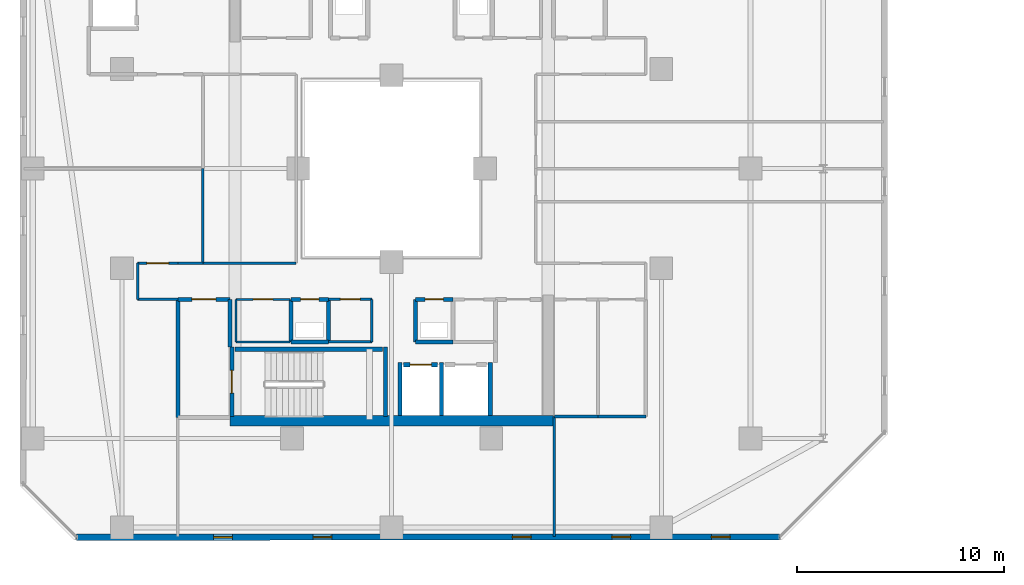
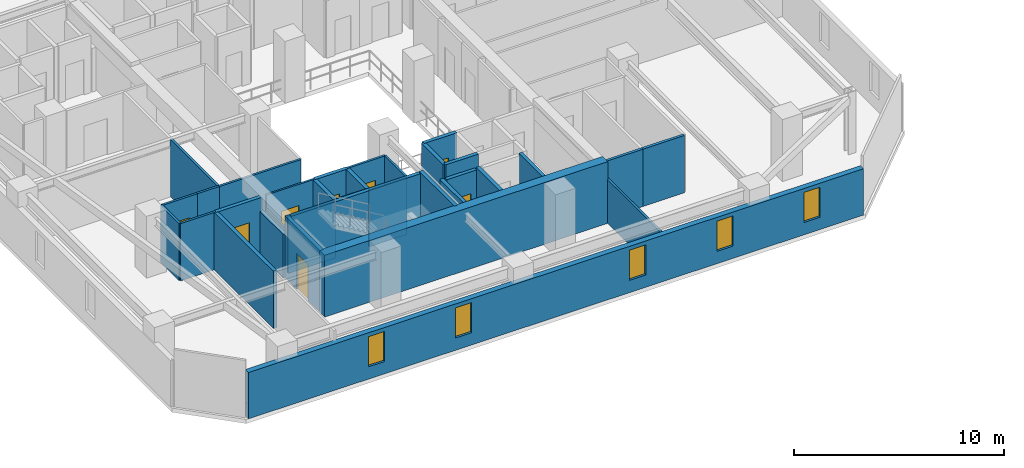
# One storey, part 19 of 33: 34 walls, 8 doors, 5 windows, 13 openings.
"""IFC4 building model written with IfcOpenShell, lengths in metres."""

from ifc_helpers import new_model, si_unit, direction, frame, frame_2d, origin, place, context, subcontext, project, spatial, rectangle, extrude, material, layer, layer_set, type_object, element, fill, save


model = new_model("IFC4")

# Units and contexts
model_context = context("Model", 3, precision=1e-05, world=origin(), true_north=direction((0.0, 1.0)))
body_context = subcontext(model_context, "Body", "Model", "MODEL_VIEW")
ifc_project = project(units=[si_unit("LENGTHUNIT", "METRE"), si_unit("AREAUNIT", "SQUARE_METRE"), si_unit("VOLUMEUNIT", "CUBIC_METRE"), si_unit("PLANEANGLEUNIT", "RADIAN"), si_unit("MASSUNIT", "GRAM", prefix="KILO")], contexts=[model_context])

# Site, building, storey
site_placement = place(None, origin())
site = spatial("IfcSite", under=ifc_project, at=site_placement, CompositionType="ELEMENT")
building_placement = place(site_placement, origin())
building = spatial("IfcBuilding", under=site, at=building_placement, Name="Thornwick Lancets Civic Towers", CompositionType="ELEMENT")
storey_placement = place(building_placement, frame((0.0, 0.0, 189.300048828125)))
storey = spatial("IfcBuildingStorey", under=building, at=storey_placement, Name="L50", CompositionType="ELEMENT", Elevation=189.300048828125)

# Wall, opening, door
ifc_material_1 = material(Name="Concrete blockwork C40/50", Category="masonry")
ifc_layer_1 = layer(ifc_material_1, 0.199951171875, Name="Concrete blockwork C40/50")
ifc_layer_set_1 = layer_set([ifc_layer_1], Name="Concrete blockwork C40/50")
wall_type_1 = type_object("IfcWallType", Name="WALL_COMP_200", PredefinedType="STANDARD", material=ifc_layer_set_1)
wall_1_placement = place(storey_placement, frame((26.080078125, 17.550048828125, 0.0), z_axis=(0.0, 0.0, 1.0), x_axis=(1.0, 0.0, 0.0)))
wall_1 = element("IfcWall", 1, at=wall_1_placement, inside=storey, type_object=wall_type_1, Name="L50 Hoistway Front Wall FL-A1", PredefinedType="STANDARD", context=body_context, shape_type="SweptSolid", body=[
    extrude(rectangle(XDim=1.639892578125, YDim=0.199951171875, at=frame_2d((0.81982421875, 0.0))), origin(), (0.0, 0.0, 1.0), 3.33984375),
])
opening_1_placement = place(wall_1_placement, frame((0.31005859375, 0.0, 0.0)))
opening_1 = element("IfcOpeningElement", 2, at=opening_1_placement, cuts=wall_1, Name="Opening LD-FL-A1", PredefinedType="OPENING", context=body_context, shape_type="SweptSolid", body=[
    extrude(rectangle(XDim=1.02001953125, YDim=2.06005859375, at=frame_2d((0.510009765625, 1.030029296875))), frame((0.0, 0.10986328125, 0.0), z_axis=(0.0, -1.0, 0.0), x_axis=(1.0, 0.0, 0.0)), (0.0, 0.0, 1.0), 0.219970703125),
])
ifc_material_2 = material(Name="Brushed bronze stainless steel", Category="steel")
door_type_1 = type_object("IfcDoorType", Name="DOOR_LIFT_SLIDE", OperationType="SLIDING_TO_LEFT", PredefinedType="DOOR", material=ifc_material_2)
door_1_placement = place(opening_1_placement, origin())
door_1 = element("IfcDoor", 3, at=door_1_placement, inside=storey, type_object=door_type_1, Name="L50 Sliding Lift Landing Door LD-FL-A1", OperationType="SLIDING_TO_LEFT", OverallHeight=2.06005859375, OverallWidth=1.02001953125, PredefinedType="DOOR", context=body_context, shape_type="SweptSolid", body=[
    extrude(rectangle(XDim=1.02001953125, YDim=2.06005859375, at=frame_2d((0.510009765625, 1.030029296875))), frame((0.0, 0.02490234375, 0.0), z_axis=(0.0, -1.0, 0.0), x_axis=(1.0, 0.0, 0.0)), (0.0, 0.0, 1.0), 0.050048828125),
])
fill(opening_1, door_1)

# Walls
for number, where, z_axis, x_axis, name in (
    (4, (27.89990234375, 15.112060546875, 0.0), (0.0, 0.0, 1.0), (0.0, 1.0, 0.0), "L50 Hoistway Shaft Wall FL-A1 E"),
    (5, (25.89990234375, 15.112060546875, 0.0), (0.0, 0.0, 1.0), (0.0, 1.0, 0.0), "L50 Hoistway Shaft Wall FL-A1 W"),
    (6, (30.25, 15.112060546875, 0.0), (0.0, 0.0, 1.0), (0.0, 1.0, 0.0), "L50 Hoistway Shaft Wall PL-AH1 E"),
):
    element("IfcWall", number, at=place(storey_placement, frame(where, z_axis=z_axis, x_axis=x_axis)), inside=storey, type_object=wall_type_1, Name=name, PredefinedType="STANDARD", context=body_context, shape_type="SweptSolid", body=[
        extrude(rectangle(XDim=2.535888671875, YDim=0.199951171875, at=frame_2d((1.26806640625, 0.0))), origin(), (0.0, 0.0, 1.0), 3.33984375),
    ])
wall_2_placement = place(storey_placement, frame((17.699951171875, 18.39990234375, 0.0), z_axis=(0.0, 0.0, 1.0), x_axis=(0.0, 1.0, 0.0)))
element("IfcWall", 7, at=wall_2_placement, inside=storey, type_object=wall_type_1, Name="L50 Partition L50-A-FFLOB1 E2", PredefinedType="STANDARD", context=body_context, shape_type="SweptSolid", body=[
    extrude(rectangle(XDim=2.300048828125, YDim=0.199951171875, at=frame_2d((1.14990234375, 0.0))), origin(), (0.0, 0.0, 1.0), 2.544921875),
])

# Wall, opening, door
wall_3_placement = place(storey_placement, frame((17.699951171875, 20.699951171875, 0.0), z_axis=(0.0, 0.0, 1.0), x_axis=(-1.0, 0.0, 0.0)))
wall_3 = element("IfcWall", 8, at=wall_3_placement, inside=storey, type_object=wall_type_1, Name="L50 Partition L50-A-FFLOB1 E3", PredefinedType="STANDARD", context=body_context, shape_type="SweptSolid", body=[
    extrude(rectangle(XDim=2.5, YDim=0.199951171875, at=frame_2d((1.25, 0.0))), origin(), (0.0, 0.0, 1.0), 3.33984375),
])
opening_2_placement = place(wall_3_placement, frame((0.675048828125, 0.0, 0.0)))
opening_2 = element("IfcOpeningElement", 9, at=opening_2_placement, cuts=wall_3, Name="Opening D-L50-2205", PredefinedType="OPENING", context=body_context, shape_type="SweptSolid", body=[
    extrude(rectangle(XDim=1.14990234375, YDim=2.10009765625, at=frame_2d((0.574951171875, 1.050048828125))), frame((0.0, 0.10986328125, 0.0), z_axis=(0.0, -1.0, 0.0), x_axis=(1.0, 0.0, 0.0)), (0.0, 0.0, 1.0), 0.219970703125),
])
ifc_material_3 = material(Name="Glazed fire-resisting steel", Category="steel")
door_type_2 = type_object("IfcDoorType", Name="DOOR_LOBBY_FD60", OperationType="NOTDEFINED", PredefinedType="DOOR", material=ifc_material_3)
door_2_placement = place(opening_2_placement, origin())
door_2 = element("IfcDoor", 10, at=door_2_placement, inside=storey, type_object=door_type_2, Name="L50 South Firefighting Lobby 1 Door", OperationType="SINGLE_SWING_RIGHT", OverallHeight=2.10009765625, OverallWidth=1.14990234375, PredefinedType="DOOR", context=body_context, shape_type="SweptSolid", body=[
    extrude(rectangle(XDim=1.14990234375, YDim=2.10009765625, at=frame_2d((0.574951171875, 1.050048828125))), frame((0.0, 0.02490234375, 0.0), z_axis=(0.0, -1.0, 0.0), x_axis=(1.0, 0.0, 0.0)), (0.0, 0.0, 1.0), 0.050048828125),
])
fill(opening_2, door_2)

# Walls
wall_4_placement = place(storey_placement, frame((15.199951171875, 20.699951171875, 0.0), z_axis=(0.0, 0.0, 1.0), x_axis=(0.0, -1.0, 0.0)))
element("IfcWall", 11, at=wall_4_placement, inside=storey, type_object=wall_type_1, Name="L50 Partition L50-A-FFLOB1 E4", PredefinedType="STANDARD", context=body_context, shape_type="SweptSolid", body=[
    extrude(rectangle(XDim=5.699951171875, YDim=0.199951171875, at=frame_2d((2.85009765625, 0.0))), origin(), (0.0, 0.0, 1.0), 3.33984375),
])
wall_5_placement = place(storey_placement, frame((26.64990234375, 18.64990234375, 0.0), z_axis=(0.0, 0.0, 1.0), x_axis=(1.0, 0.0, 0.0)))
element("IfcWall", 12, at=wall_5_placement, inside=storey, type_object=wall_type_1, Name="L50 Partition L50-A-DUCT1 E1", PredefinedType="STANDARD", context=body_context, shape_type="SweptSolid", body=[
    extrude(rectangle(XDim=1.800048828125, YDim=0.199951171875, at=frame_2d((0.89990234375, 0.0))), origin(), (0.0, 0.0, 1.0), 3.33984375),
])

# Wall, opening, door
wall_6_placement = place(storey_placement, frame((28.449951171875, 20.699951171875, 0.0), z_axis=(0.0, 0.0, 1.0), x_axis=(-1.0, 0.0, 0.0)))
wall_6 = element("IfcWall", 13, at=wall_6_placement, inside=storey, type_object=wall_type_1, Name="L50 Partition L50-A-DUCT1 E3", PredefinedType="STANDARD", context=body_context, shape_type="SweptSolid", body=[
    extrude(rectangle(XDim=1.800048828125, YDim=0.199951171875, at=frame_2d((0.89990234375, 0.0))), origin(), (0.0, 0.0, 1.0), 3.33984375),
])
opening_3_placement = place(wall_6_placement, frame((0.4599609375, 0.0, 0.0)))
opening_3 = element("IfcOpeningElement", 14, at=opening_3_placement, cuts=wall_6, Name="Opening D-L50-2207", PredefinedType="OPENING", context=body_context, shape_type="SweptSolid", body=[
    extrude(rectangle(XDim=0.8798828125, YDim=2.0400390625, at=frame_2d((0.43994140625, 1.02001953125))), frame((0.0, 0.10986328125, 0.0), z_axis=(0.0, -1.0, 0.0), x_axis=(1.0, 0.0, 0.0)), (0.0, 0.0, 1.0), 0.219970703125),
])
ifc_material_4 = material(Name="Steel riser access doorset", Category="steel")
door_type_3 = type_object("IfcDoorType", Name="DOOR_RISER_850", OperationType="NOTDEFINED", PredefinedType="DOOR", material=ifc_material_4)
door_3_placement = place(opening_3_placement, origin())
door_3 = element("IfcDoor", 15, at=door_3_placement, inside=storey, type_object=door_type_3, Name="L50 South Service Duct 1 Door", OperationType="SINGLE_SWING_RIGHT", OverallHeight=2.0400390625, OverallWidth=0.8798828125, PredefinedType="DOOR", context=body_context, shape_type="SweptSolid", body=[
    extrude(rectangle(XDim=0.8798828125, YDim=2.0400390625, at=frame_2d((0.43994140625, 1.02001953125))), frame((0.0, 0.02490234375, 0.0), z_axis=(0.0, -1.0, 0.0), x_axis=(1.0, 0.0, 0.0)), (0.0, 0.0, 1.0), 0.050048828125),
])
fill(opening_3, door_3)

# Walls
wall_7_placement = place(storey_placement, frame((26.64990234375, 20.699951171875, 0.0), z_axis=(0.0, 0.0, 1.0), x_axis=(0.0, -1.0, 0.0)))
element("IfcWall", 16, at=wall_7_placement, inside=storey, type_object=wall_type_1, Name="L50 Partition L50-A-DUCT1 E4", PredefinedType="STANDARD", context=body_context, shape_type="SweptSolid", body=[
    extrude(rectangle(XDim=2.050048828125, YDim=0.199951171875, at=frame_2d((1.02490234375, 0.0))), origin(), (0.0, 0.0, 1.0), 3.33984375),
])
wall_8_placement = place(storey_placement, frame((20.64990234375, 18.64990234375, 0.0), z_axis=(0.0, 0.0, 1.0), x_axis=(1.0, 0.0, 0.0)))
element("IfcWall", 17, at=wall_8_placement, inside=storey, type_object=wall_type_1, Name="L50 Partition L50-A-RISER1 E1", PredefinedType="STANDARD", context=body_context, shape_type="SweptSolid", body=[
    extrude(rectangle(XDim=1.800048828125, YDim=0.199951171875, at=frame_2d((0.89990234375, 0.0))), origin(), (0.0, 0.0, 1.0), 3.33984375),
])
wall_9_placement = place(storey_placement, frame((22.449951171875, 18.64990234375, 0.0), z_axis=(0.0, 0.0, 1.0), x_axis=(0.0, 1.0, 0.0)))
element("IfcWall", 18, at=wall_9_placement, inside=storey, type_object=wall_type_1, Name="L50 Partition L50-A-RISER1 E2", PredefinedType="STANDARD", context=body_context, shape_type="SweptSolid", body=[
    extrude(rectangle(XDim=2.050048828125, YDim=0.199951171875, at=frame_2d((1.02490234375, 0.0))), origin(), (0.0, 0.0, 1.0), 3.33984375),
])

# Wall, opening, door
wall_10_placement = place(storey_placement, frame((22.449951171875, 20.699951171875, 0.0), z_axis=(0.0, 0.0, 1.0), x_axis=(-1.0, 0.0, 0.0)))
wall_10 = element("IfcWall", 19, at=wall_10_placement, inside=storey, type_object=wall_type_1, Name="L50 Partition L50-A-RISER1 E3", PredefinedType="STANDARD", context=body_context, shape_type="SweptSolid", body=[
    extrude(rectangle(XDim=1.800048828125, YDim=0.199951171875, at=frame_2d((0.89990234375, 0.0))), origin(), (0.0, 0.0, 1.0), 3.33984375),
])
opening_4_placement = place(wall_10_placement, frame((0.4599609375, 0.0, 0.0)))
opening_4 = element("IfcOpeningElement", 20, at=opening_4_placement, cuts=wall_10, Name="Opening D-L50-2208", PredefinedType="OPENING", context=body_context, shape_type="SweptSolid", body=[
    extrude(rectangle(XDim=0.8798828125, YDim=2.0400390625, at=frame_2d((0.43994140625, 1.02001953125))), frame((0.0, 0.10986328125, 0.0), z_axis=(0.0, -1.0, 0.0), x_axis=(1.0, 0.0, 0.0)), (0.0, 0.0, 1.0), 0.219970703125),
])
door_4_placement = place(opening_4_placement, origin())
door_4 = element("IfcDoor", 21, at=door_4_placement, inside=storey, type_object=door_type_3, Name="L50 South Electrical Riser 1 Door", OperationType="SINGLE_SWING_LEFT", OverallHeight=2.0400390625, OverallWidth=0.8798828125, PredefinedType="DOOR", context=body_context, shape_type="SweptSolid", body=[
    extrude(rectangle(XDim=0.8798828125, YDim=2.0400390625, at=frame_2d((0.43994140625, 1.02001953125))), frame((0.0, 0.02490234375, 0.0), z_axis=(0.0, -1.0, 0.0), x_axis=(1.0, 0.0, 0.0)), (0.0, 0.0, 1.0), 0.050048828125),
])
fill(opening_4, door_4)

# Walls
wall_11_placement = place(storey_placement, frame((20.64990234375, 20.699951171875, 0.0), z_axis=(0.0, 0.0, 1.0), x_axis=(0.0, -1.0, 0.0)))
element("IfcWall", 22, at=wall_11_placement, inside=storey, type_object=wall_type_1, Name="L50 Partition L50-A-RISER1 E4", PredefinedType="STANDARD", context=body_context, shape_type="SweptSolid", body=[
    extrude(rectangle(XDim=2.050048828125, YDim=0.199951171875, at=frame_2d((1.02490234375, 0.0))), origin(), (0.0, 0.0, 1.0), 3.33984375),
])
ifc_material_5 = material(Name="Concrete C50/60", Category="concrete")
ifc_layer_2 = layer(ifc_material_5, 0.5, Name="Concrete C50/60")
ifc_layer_set_2 = layer_set([ifc_layer_2], Name="Concrete C50/60")
wall_type_2 = type_object("IfcWallType", Name="WALL_CORE_500", PredefinedType="SHEAR", material=ifc_layer_set_2)
wall_12_placement = place(storey_placement, frame((17.699951171875, 14.85009765625, 0.0), z_axis=(0.0, 0.0, 1.0), x_axis=(1.0, 0.0, 0.0)))
element("IfcWall", 23, at=wall_12_placement, inside=storey, type_object=wall_type_2, Name="L50 Split Core A1 Shear Wall S", PredefinedType="SHEAR", context=body_context, shape_type="SweptSolid", body=[
    extrude(rectangle(XDim=15.60009765625, YDim=0.5, at=frame_2d((7.800048828125, 0.0))), origin(), (0.0, 0.0, 1.0), 3.599853515625),
])

# Wall, openings, windows
ifc_material_6 = material(Name="Insulated russet terracotta rainscreen on concrete C40/50", Category="masonry")
ifc_layer_3 = layer(ifc_material_6, 0.300048828125, Name="Insulated russet terracotta rainscreen on concrete C40/50")
ifc_layer_set_3 = layer_set([ifc_layer_3], Name="Insulated russet terracotta rainscreen on concrete C40/50")
wall_type_3 = type_object("IfcWallType", Name="WALL_EXT_RUSSET_300", PredefinedType="STANDARD", material=ifc_layer_set_3)
wall_13_placement = place(storey_placement, frame((10.318603515625, 9.2353515625, 0.0), z_axis=(0.0, 0.0, 1.0), x_axis=(0.999999969988, 0.000244999128, 0.0)))
wall_13 = element("IfcWall", 24, at=wall_13_placement, inside=storey, type_object=wall_type_3, Name="L50 Tower A Terracotta Facade Wall E0", PredefinedType="STANDARD", context=body_context, shape_type="SweptSolid", body=[
    extrude(rectangle(XDim=33.880859375, YDim=0.300048828125, at=frame_2d((16.9404296875, 0.0))), origin(), (0.0, 0.0, 1.0), 2.699951171875),
])
opening_5_placement = place(wall_13_placement, frame((6.60009765625, 0.0, 0.719970703125)))
opening_5 = element("IfcOpeningElement", 25, at=opening_5_placement, cuts=wall_13, Name="Opening WL-01", PredefinedType="OPENING", context=body_context, shape_type="SweptSolid", body=[
    extrude(rectangle(XDim=0.89990234375, YDim=1.75, at=frame_2d((0.449951171875, 0.875))), frame((0.0, 0.16015625, 0.0), z_axis=(0.0, -1.0, 0.0), x_axis=(1.0, 0.0, 0.0)), (0.0, 0.0, 1.0), 0.320068359375),
])
opening_6_placement = place(wall_13_placement, frame((11.39990234375, 0.0, 0.719970703125)))
opening_6 = element("IfcOpeningElement", 26, at=opening_6_placement, cuts=wall_13, Name="Opening WL-01", PredefinedType="OPENING", context=body_context, shape_type="SweptSolid", body=[
    extrude(rectangle(XDim=0.89990234375, YDim=1.75, at=frame_2d((0.449951171875, 0.875))), frame((0.0, 0.16015625, 0.0), z_axis=(0.0, -1.0, 0.0), x_axis=(1.0, 0.0, 0.0)), (0.0, 0.0, 1.0), 0.320068359375),
])
opening_7_placement = place(wall_13_placement, frame((21.0, 0.0, 0.719970703125)))
opening_7 = element("IfcOpeningElement", 27, at=opening_7_placement, cuts=wall_13, Name="Opening WL-01", PredefinedType="OPENING", context=body_context, shape_type="SweptSolid", body=[
    extrude(rectangle(XDim=0.89990234375, YDim=1.75, at=frame_2d((0.449951171875, 0.875))), frame((0.0, 0.16015625, 0.0), z_axis=(0.0, -1.0, 0.0), x_axis=(1.0, 0.0, 0.0)), (0.0, 0.0, 1.0), 0.320068359375),
])
opening_8_placement = place(wall_13_placement, frame((25.800048828125, 0.0, 0.719970703125)))
opening_8 = element("IfcOpeningElement", 28, at=opening_8_placement, cuts=wall_13, Name="Opening WL-01", PredefinedType="OPENING", context=body_context, shape_type="SweptSolid", body=[
    extrude(rectangle(XDim=0.89990234375, YDim=1.75, at=frame_2d((0.449951171875, 0.875))), frame((0.0, 0.16015625, 0.0), z_axis=(0.0, -1.0, 0.0), x_axis=(1.0, 0.0, 0.0)), (0.0, 0.0, 1.0), 0.320068359375),
])
opening_9_placement = place(wall_13_placement, frame((30.60009765625, 0.0, 0.719970703125)))
opening_9 = element("IfcOpeningElement", 29, at=opening_9_placement, cuts=wall_13, Name="Opening WL-01", PredefinedType="OPENING", context=body_context, shape_type="SweptSolid", body=[
    extrude(rectangle(XDim=0.89990234375, YDim=1.75, at=frame_2d((0.449951171875, 0.875))), frame((0.0, 0.16015625, 0.0), z_axis=(0.0, -1.0, 0.0), x_axis=(1.0, 0.0, 0.0)), (0.0, 0.0, 1.0), 0.320068359375),
])
ifc_material_7 = material(Name="Clear low-e double glazing in bronze frame", Category="glass")
window_type = type_object("IfcWindowType", Name="WIN_LANCET_900", PartitioningType="SINGLE_PANEL", PredefinedType="WINDOW", material=ifc_material_7)
window_1_placement = place(opening_5_placement, origin())
window_1 = element("IfcWindow", 30, at=window_1_placement, inside=storey, type_object=window_type, Name="L50 Tower A Staggered Lancet Window E0-1", OverallHeight=1.75, OverallWidth=0.89990234375, PartitioningType="SINGLE_PANEL", PredefinedType="WINDOW", context=body_context, shape_type="SweptSolid", body=[
    extrude(rectangle(XDim=0.89990234375, YDim=1.75, at=frame_2d((0.449951171875, 0.875))), frame((0.0, 0.030029296875, 0.0), z_axis=(0.0, -1.0, 0.0), x_axis=(1.0, 0.0, 0.0)), (0.0, 0.0, 1.0), 0.06005859375),
])
fill(opening_5, window_1)
window_2_placement = place(opening_6_placement, origin())
window_2 = element("IfcWindow", 31, at=window_2_placement, inside=storey, type_object=window_type, Name="L50 Tower A Staggered Lancet Window E0-2", OverallHeight=1.75, OverallWidth=0.89990234375, PartitioningType="SINGLE_PANEL", PredefinedType="WINDOW", context=body_context, shape_type="SweptSolid", body=[
    extrude(rectangle(XDim=0.89990234375, YDim=1.75, at=frame_2d((0.449951171875, 0.875))), frame((0.0, 0.030029296875, 0.0), z_axis=(0.0, -1.0, 0.0), x_axis=(1.0, 0.0, 0.0)), (0.0, 0.0, 1.0), 0.06005859375),
])
fill(opening_6, window_2)
window_3_placement = place(opening_7_placement, origin())
window_3 = element("IfcWindow", 32, at=window_3_placement, inside=storey, type_object=window_type, Name="L50 Tower A Staggered Lancet Window E0-3", OverallHeight=1.75, OverallWidth=0.89990234375, PartitioningType="SINGLE_PANEL", PredefinedType="WINDOW", context=body_context, shape_type="SweptSolid", body=[
    extrude(rectangle(XDim=0.89990234375, YDim=1.75, at=frame_2d((0.449951171875, 0.875))), frame((0.0, 0.030029296875, 0.0), z_axis=(0.0, -1.0, 0.0), x_axis=(1.0, 0.0, 0.0)), (0.0, 0.0, 1.0), 0.06005859375),
])
fill(opening_7, window_3)
window_4_placement = place(opening_8_placement, origin())
window_4 = element("IfcWindow", 33, at=window_4_placement, inside=storey, type_object=window_type, Name="L50 Tower A Staggered Lancet Window E0-4", OverallHeight=1.75, OverallWidth=0.89990234375, PartitioningType="SINGLE_PANEL", PredefinedType="WINDOW", context=body_context, shape_type="SweptSolid", body=[
    extrude(rectangle(XDim=0.89990234375, YDim=1.75, at=frame_2d((0.449951171875, 0.875))), frame((0.0, 0.030029296875, 0.0), z_axis=(0.0, -1.0, 0.0), x_axis=(1.0, 0.0, 0.0)), (0.0, 0.0, 1.0), 0.06005859375),
])
fill(opening_8, window_4)
window_5_placement = place(opening_9_placement, origin())
window_5 = element("IfcWindow", 34, at=window_5_placement, inside=storey, type_object=window_type, Name="L50 Tower A Staggered Lancet Window E0-5", OverallHeight=1.75, OverallWidth=0.89990234375, PartitioningType="SINGLE_PANEL", PredefinedType="WINDOW", context=body_context, shape_type="SweptSolid", body=[
    extrude(rectangle(XDim=0.89990234375, YDim=1.75, at=frame_2d((0.449951171875, 0.875))), frame((0.0, 0.030029296875, 0.0), z_axis=(0.0, -1.0, 0.0), x_axis=(1.0, 0.0, 0.0)), (0.0, 0.0, 1.0), 0.06005859375),
])
fill(opening_9, window_5)

# Wall
ifc_material_8 = material(Name="Lightweight cellular office partition")
ifc_layer_4 = layer(ifc_material_8, 0.10009765625, Name="Lightweight cellular office partition")
ifc_layer_set_4 = layer_set([ifc_layer_4], Name="Lightweight cellular office partition")
wall_type_4 = type_object("IfcWallType", Name="WALL_PART_100", PredefinedType="PARTITIONING", material=ifc_layer_set_4)
wall_14_placement = place(storey_placement, frame((18.0, 18.64990234375, 0.0), z_axis=(0.0, 0.0, 1.0), x_axis=(1.0, 0.0, 0.0)))
element("IfcWall", 35, at=wall_14_placement, inside=storey, type_object=wall_type_4, Name="L50 Partition L50-A-CLN E1", PredefinedType="PARTITIONING", context=body_context, shape_type="SweptSolid", body=[
    extrude(rectangle(XDim=2.60009765625, YDim=0.10009765625, at=frame_2d((1.300048828125, 0.0))), origin(), (0.0, 0.0, 1.0), 3.33984375),
])

# Wall, opening, door
wall_15_placement = place(storey_placement, frame((20.60009765625, 20.699951171875, 0.0), z_axis=(0.0, 0.0, 1.0), x_axis=(-1.0, 0.0, 0.0)))
wall_15 = element("IfcWall", 36, at=wall_15_placement, inside=storey, type_object=wall_type_4, Name="L50 Partition L50-A-CLN E3", PredefinedType="PARTITIONING", context=body_context, shape_type="SweptSolid", body=[
    extrude(rectangle(XDim=2.60009765625, YDim=0.10009765625, at=frame_2d((1.300048828125, 0.0))), origin(), (0.0, 0.0, 1.0), 3.33984375),
])
opening_10_placement = place(wall_15_placement, frame((0.824951171875, 0.0, 0.0)))
opening_10 = element("IfcOpeningElement", 37, at=opening_10_placement, cuts=wall_15, Name="Opening D-L50-2211", PredefinedType="OPENING", context=body_context, shape_type="SweptSolid", body=[
    extrude(rectangle(XDim=0.949951171875, YDim=2.10009765625, at=frame_2d((0.47509765625, 1.050048828125))), frame((0.0, 0.06005859375, 0.0), z_axis=(0.0, -1.0, 0.0), x_axis=(1.0, 0.0, 0.0)), (0.0, 0.0, 1.0), 0.1201171875),
])
ifc_material_9 = material(Name="European oak acoustic doorset")
door_type_4 = type_object("IfcDoorType", Name="DOOR_OFFICE_950", OperationType="NOTDEFINED", PredefinedType="DOOR", material=ifc_material_9)
door_5_placement = place(opening_10_placement, origin())
door_5 = element("IfcDoor", 38, at=door_5_placement, inside=storey, type_object=door_type_4, Name="L50 Tower A Cleaners Store Door", OperationType="SINGLE_SWING_RIGHT", OverallHeight=2.10009765625, OverallWidth=0.949951171875, PredefinedType="DOOR", context=body_context, shape_type="SweptSolid", body=[
    extrude(rectangle(XDim=0.949951171875, YDim=2.10009765625, at=frame_2d((0.47509765625, 1.050048828125))), frame((0.0, 0.02490234375, 0.0), z_axis=(0.0, -1.0, 0.0), x_axis=(1.0, 0.0, 0.0)), (0.0, 0.0, 1.0), 0.050048828125),
])
fill(opening_10, door_5)

# Walls
wall_16_placement = place(storey_placement, frame((18.0, 20.699951171875, 0.0), z_axis=(0.0, 0.0, 1.0), x_axis=(0.0, -1.0, 0.0)))
element("IfcWall", 39, at=wall_16_placement, inside=storey, type_object=wall_type_4, Name="L50 Partition L50-A-CLN E4", PredefinedType="PARTITIONING", context=body_context, shape_type="SweptSolid", body=[
    extrude(rectangle(XDim=2.050048828125, YDim=0.10009765625, at=frame_2d((1.02490234375, 0.0))), origin(), (0.0, 0.0, 1.0), 2.544921875),
])
ifc_material_10 = material(Name="Acoustic gypsum board partition")
ifc_layer_5 = layer(ifc_material_10, 0.1201171875, Name="Acoustic gypsum board partition")
ifc_layer_set_5 = layer_set([ifc_layer_5], Name="Acoustic gypsum board partition")
wall_type_5 = type_object("IfcWallType", Name="WALL_PART_120", PredefinedType="PARTITIONING", material=ifc_layer_set_5)
wall_17_placement = place(storey_placement, frame((24.550048828125, 20.699951171875, 0.0), z_axis=(0.0, 0.0, 1.0), x_axis=(0.0, -1.0, 0.0)))
element("IfcWall", 40, at=wall_17_placement, inside=storey, type_object=wall_type_5, Name="L50 Partition L50-A-ITR E1", PredefinedType="PARTITIONING", context=body_context, shape_type="SweptSolid", body=[
    extrude(rectangle(XDim=2.050048828125, YDim=0.1201171875, at=frame_2d((1.02490234375, 0.0))), origin(), (0.0, 0.0, 1.0), 3.33984375),
])
wall_18_placement = place(storey_placement, frame((24.550048828125, 18.64990234375, 0.0), z_axis=(0.0, 0.0, 1.0), x_axis=(-1.0, 0.0, 0.0)))
element("IfcWall", 41, at=wall_18_placement, inside=storey, type_object=wall_type_5, Name="L50 Partition L50-A-ITR E2", PredefinedType="PARTITIONING", context=body_context, shape_type="SweptSolid", body=[
    extrude(rectangle(XDim=2.10009765625, YDim=0.1201171875, at=frame_2d((1.050048828125, 0.0))), origin(), (0.0, 0.0, 1.0), 3.33984375),
])

# Wall, opening, door
wall_19_placement = place(storey_placement, frame((22.449951171875, 20.699951171875, 0.0), z_axis=(0.0, 0.0, 1.0), x_axis=(1.0, 0.0, 0.0)))
wall_19 = element("IfcWall", 42, at=wall_19_placement, inside=storey, type_object=wall_type_5, Name="L50 Partition L50-A-ITR E4", PredefinedType="PARTITIONING", context=body_context, shape_type="SweptSolid", body=[
    extrude(rectangle(XDim=2.10009765625, YDim=0.1201171875, at=frame_2d((1.050048828125, 0.0))), origin(), (0.0, 0.0, 1.0), 3.33984375),
])
opening_11_placement = place(wall_19_placement, frame((0.574951171875, 0.0, 0.0)))
opening_11 = element("IfcOpeningElement", 43, at=opening_11_placement, cuts=wall_19, Name="Opening D-L50-2212", PredefinedType="OPENING", context=body_context, shape_type="SweptSolid", body=[
    extrude(rectangle(XDim=0.949951171875, YDim=2.10009765625, at=frame_2d((0.47509765625, 1.050048828125))), frame((0.0, 0.070068359375, 0.0), z_axis=(0.0, -1.0, 0.0), x_axis=(1.0, 0.0, 0.0)), (0.0, 0.0, 1.0), 0.14013671875),
])
door_6_placement = place(opening_11_placement, origin())
door_6 = element("IfcDoor", 44, at=door_6_placement, inside=storey, type_object=door_type_4, Name="L50 Tower A Comms Patch Room Door", OperationType="SINGLE_SWING_LEFT", OverallHeight=2.10009765625, OverallWidth=0.949951171875, PredefinedType="DOOR", context=body_context, shape_type="SweptSolid", body=[
    extrude(rectangle(XDim=0.949951171875, YDim=2.10009765625, at=frame_2d((0.47509765625, 1.050048828125))), frame((0.0, 0.02490234375, 0.0), z_axis=(0.0, -1.0, 0.0), x_axis=(1.0, 0.0, 0.0)), (0.0, 0.0, 1.0), 0.050048828125),
])
fill(opening_11, door_6)

# Walls
wall_20_placement = place(storey_placement, frame((16.39990234375, 27.0, 0.0), z_axis=(0.0, 0.0, 1.0), x_axis=(0.0, -1.0, 0.0)))
element("IfcWall", 45, at=wall_20_placement, inside=storey, type_object=wall_type_5, Name="L50 Partition L50-A-W1 E3", PredefinedType="PARTITIONING", context=body_context, shape_type="SweptSolid", body=[
    extrude(rectangle(XDim=4.550048828125, YDim=0.1201171875, at=frame_2d((2.27490234375, 0.0))), origin(), (0.0, 0.0, 1.0), 3.33984375),
])
wall_21_placement = place(storey_placement, frame((16.39990234375, 22.449951171875, 0.0), z_axis=(0.0, 0.0, 1.0), x_axis=(-1.0, 0.0, 0.0)))
element("IfcWall", 46, at=wall_21_placement, inside=storey, type_object=wall_type_5, Name="L50 Partition L50-A-W1 E4", PredefinedType="PARTITIONING", context=body_context, shape_type="SweptSolid", body=[
    extrude(rectangle(XDim=1.199951171875, YDim=0.1201171875, at=frame_2d((0.60009765625, 0.0))), origin(), (0.0, 0.0, 1.0), 3.33984375),
])

# Wall, opening, door
wall_22_placement = place(storey_placement, frame((15.199951171875, 22.449951171875, 0.0), z_axis=(0.0, 0.0, 1.0), x_axis=(-1.0, 0.0, 0.0)))
wall_22 = element("IfcWall", 47, at=wall_22_placement, inside=storey, type_object=wall_type_5, Name="L50 Partition L50-A-W1 E5", PredefinedType="PARTITIONING", context=body_context, shape_type="SweptSolid", body=[
    extrude(rectangle(XDim=1.949951171875, YDim=0.1201171875, at=frame_2d((0.97509765625, 0.0))), origin(), (0.0, 0.0, 1.0), 3.33984375),
])
opening_12_placement = place(wall_22_placement, frame((0.449951171875, 0.0, 0.0)))
opening_12 = element("IfcOpeningElement", 48, at=opening_12_placement, cuts=wall_22, Name="Opening D-L50-2231", PredefinedType="OPENING", context=body_context, shape_type="SweptSolid", body=[
    extrude(rectangle(XDim=1.050048828125, YDim=2.10009765625, at=frame_2d((0.52490234375, 1.050048828125))), frame((0.0, 0.070068359375, 0.0), z_axis=(0.0, -1.0, 0.0), x_axis=(1.0, 0.0, 0.0)), (0.0, 0.0, 1.0), 0.14013671875),
])
ifc_material_11 = material(Name="Glazed European oak executive doorset")
door_type_5 = type_object("IfcDoorType", Name="DOOR_OFFICE_1050", OperationType="NOTDEFINED", PredefinedType="DOOR", material=ifc_material_11)
door_7_placement = place(opening_12_placement, origin())
door_7 = element("IfcDoor", 49, at=door_7_placement, inside=storey, type_object=door_type_5, Name="L50 Tower A Ministry Directorate Office W1 Door", OperationType="SINGLE_SWING_RIGHT", OverallHeight=2.10009765625, OverallWidth=1.050048828125, PredefinedType="DOOR", context=body_context, shape_type="SweptSolid", body=[
    extrude(rectangle(XDim=1.050048828125, YDim=2.10009765625, at=frame_2d((0.52490234375, 1.050048828125))), frame((0.0, 0.02490234375, 0.0), z_axis=(0.0, -1.0, 0.0), x_axis=(1.0, 0.0, 0.0)), (0.0, 0.0, 1.0), 0.050048828125),
])
fill(opening_12, door_7)

# Walls
wall_23_placement = place(storey_placement, frame((13.25, 22.449951171875, 0.0), z_axis=(0.0, 0.0, 1.0), x_axis=(0.0, -1.0, 0.0)))
element("IfcWall", 50, at=wall_23_placement, inside=storey, type_object=wall_type_5, Name="L50 Partition L50-A-W1 E6", PredefinedType="PARTITIONING", context=body_context, shape_type="SweptSolid", body=[
    extrude(rectangle(XDim=1.75, YDim=0.1201171875, at=frame_2d((0.875, 0.0))), origin(), (0.0, 0.0, 1.0), 3.33984375),
])
wall_24_placement = place(storey_placement, frame((13.25, 20.699951171875, 0.0), z_axis=(0.0, 0.0, 1.0), x_axis=(1.0, 0.0, 0.0)))
element("IfcWall", 51, at=wall_24_placement, inside=storey, type_object=wall_type_5, Name="L50 Partition L50-A-W1 E7", PredefinedType="PARTITIONING", context=body_context, shape_type="SweptSolid", body=[
    extrude(rectangle(XDim=1.949951171875, YDim=0.1201171875, at=frame_2d((0.97509765625, 0.0))), origin(), (0.0, 0.0, 1.0), 3.33984375),
])
wall_25_placement = place(storey_placement, frame((20.89990234375, 22.449951171875, 0.0), z_axis=(0.0, 0.0, 1.0), x_axis=(-1.0, 0.0, 0.0)))
element("IfcWall", 52, at=wall_25_placement, inside=storey, type_object=wall_type_5, Name="L50 Partition L50-A-W3 E5", PredefinedType="PARTITIONING", context=body_context, shape_type="SweptSolid", body=[
    extrude(rectangle(XDim=4.5, YDim=0.1201171875, at=frame_2d((2.25, 0.0))), origin(), (0.0, 0.0, 1.0), 3.33984375),
])
wall_26_placement = place(storey_placement, frame((33.35009765625, 9.280029296875, 0.0), z_axis=(0.0, 0.0, 1.0), x_axis=(0.0, 1.0, 0.0)))
element("IfcWall", 53, at=wall_26_placement, inside=storey, type_object=wall_type_5, Name="L50 Partition L50-A-E1 E11", PredefinedType="PARTITIONING", context=body_context, shape_type="SweptSolid", body=[
    extrude(rectangle(XDim=5.77001953125, YDim=0.1201171875, at=frame_2d((2.885009765625, 0.0))), origin(), (0.0, 0.0, 1.0), 2.544921875),
])
ifc_material_12 = material(Name="Twin-stud acoustic gypsum board")
ifc_layer_6 = layer(ifc_material_12, 0.14990234375, Name="Twin-stud acoustic gypsum board")
ifc_layer_set_6 = layer_set([ifc_layer_6], Name="Twin-stud acoustic gypsum board")
wall_type_6 = type_object("IfcWallType", Name="WALL_PART_150", PredefinedType="PARTITIONING", material=ifc_layer_set_6)
wall_27_placement = place(storey_placement, frame((35.449951171875, 15.050048828125, 0.0), z_axis=(0.0, 0.0, 1.0), x_axis=(-1.0, 0.0, 0.0)))
element("IfcWall", 54, at=wall_27_placement, inside=storey, type_object=wall_type_6, Name="L50 Partition L50-A-RECLAIM-L1 E1", PredefinedType="PARTITIONING", context=body_context, shape_type="SweptSolid", body=[
    extrude(rectangle(XDim=2.099853515625, YDim=0.14990234375, at=frame_2d((1.0498046875, 0.0))), origin(), (0.0, 0.0, 1.0), 3.33984375),
])
wall_28_placement = place(storey_placement, frame((37.75, 15.050048828125, 0.0), z_axis=(0.0, 0.0, 1.0), x_axis=(-1.0, 0.0, 0.0)))
element("IfcWall", 55, at=wall_28_placement, inside=storey, type_object=wall_type_6, Name="L50 Partition L50-A-RECLAIM-L2 E1", PredefinedType="PARTITIONING", context=body_context, shape_type="SweptSolid", body=[
    extrude(rectangle(XDim=2.300048828125, YDim=0.14990234375, at=frame_2d((1.14990234375, 0.0))), origin(), (0.0, 0.0, 1.0), 3.33984375),
])

# Wall, opening, door
ifc_material_13 = material(Name="Concrete C40/50", Category="concrete")
ifc_layer_7 = layer(ifc_material_13, 0.199951171875, Name="Concrete C40/50")
ifc_layer_set_7 = layer_set([ifc_layer_7], Name="Concrete C40/50")
wall_type_7 = type_object("IfcWallType", Name="WALL_SHAFT_200", PredefinedType="SHEAR", material=ifc_layer_set_7)
wall_29_placement = place(storey_placement, frame((17.800048828125, 15.050048828125, 0.0), z_axis=(0.0, 0.0, 1.0), x_axis=(0.0, 1.0, 0.0)))
wall_29 = element("IfcWall", 56, at=wall_29_placement, inside=storey, type_object=wall_type_7, Name="L50 ST-A1 Fire Stair Core Wall NEAR", PredefinedType="SHEAR", context=body_context, shape_type="SweptSolid", body=[
    extrude(rectangle(XDim=3.349853515625, YDim=0.199951171875, at=frame_2d((1.6748046875, 0.0))), origin(), (0.0, 0.0, 1.0), 3.599853515625),
])
opening_13_placement = place(wall_29_placement, frame((1.125, 0.0, 0.0)))
opening_13 = element("IfcOpeningElement", 57, at=opening_13_placement, cuts=wall_29, Name="Opening D-ST-A1-L50", PredefinedType="OPENING", context=body_context, shape_type="SweptSolid", body=[
    extrude(rectangle(XDim=1.10009765625, YDim=2.10009765625, at=frame_2d((0.550048828125, 1.050048828125))), frame((0.0, 0.10986328125, 0.0), z_axis=(0.0, -1.0, 0.0), x_axis=(1.0, 0.0, 0.0)), (0.0, 0.0, 1.0), 0.219970703125),
])
ifc_material_14 = material(Name="Fire-resisting steel and hardwood", Category="steel")
door_type_6 = type_object("IfcDoorType", Name="DOOR_STAIR_FD60", OperationType="NOTDEFINED", PredefinedType="DOOR", material=ifc_material_14)
door_8_placement = place(opening_13_placement, origin())
door_8 = element("IfcDoor", 58, at=door_8_placement, inside=storey, type_object=door_type_6, Name="L50 ST-A1 Exit Stair Door", OperationType="SINGLE_SWING_RIGHT", OverallHeight=2.10009765625, OverallWidth=1.10009765625, PredefinedType="DOOR", context=body_context, shape_type="SweptSolid", body=[
    extrude(rectangle(XDim=1.10009765625, YDim=2.10009765625, at=frame_2d((0.550048828125, 1.050048828125))), frame((0.0, 0.02490234375, 0.0), z_axis=(0.0, -1.0, 0.0), x_axis=(1.0, 0.0, 0.0)), (0.0, 0.0, 1.0), 0.050048828125),
])
fill(opening_13, door_8)

# Walls
wall_30_placement = place(storey_placement, frame((25.199951171875, 18.39990234375, 0.0), z_axis=(0.0, 0.0, 1.0), x_axis=(0.0, -1.0, 0.0)))
element("IfcWall", 59, at=wall_30_placement, inside=storey, type_object=wall_type_7, Name="L50 ST-A1 Fire Stair Core Wall FAR", PredefinedType="SHEAR", context=body_context, shape_type="SweptSolid", body=[
    extrude(rectangle(XDim=3.349853515625, YDim=0.199951171875, at=frame_2d((1.6748046875, 0.0))), origin(), (0.0, 0.0, 1.0), 3.599853515625),
])
wall_31_placement = place(storey_placement, frame((25.050048828125, 18.297119140625, 0.0), z_axis=(0.0, 0.0, 1.0), x_axis=(-1.0, 0.0, 0.0)))
element("IfcWall", 60, at=wall_31_placement, inside=storey, type_object=wall_type_7, Name="L50 ST-A1 Fire Stair Core Wall RIGHT", PredefinedType="SHEAR", context=body_context, shape_type="SweptSolid", body=[
    extrude(rectangle(XDim=7.10009765625, YDim=0.199951171875, at=frame_2d((3.550048828125, 0.0))), origin(), (0.0, 0.0, 1.0), 3.599853515625),
])

save(model, "model.ifc")
